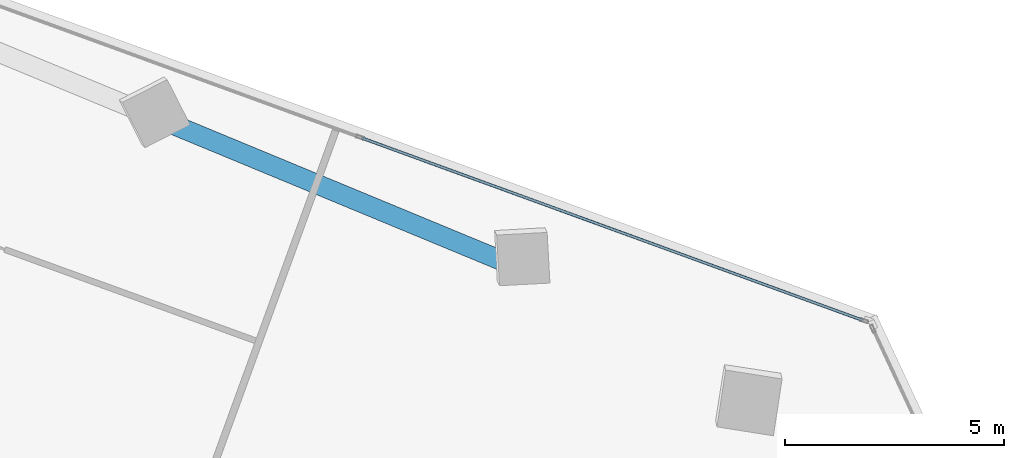
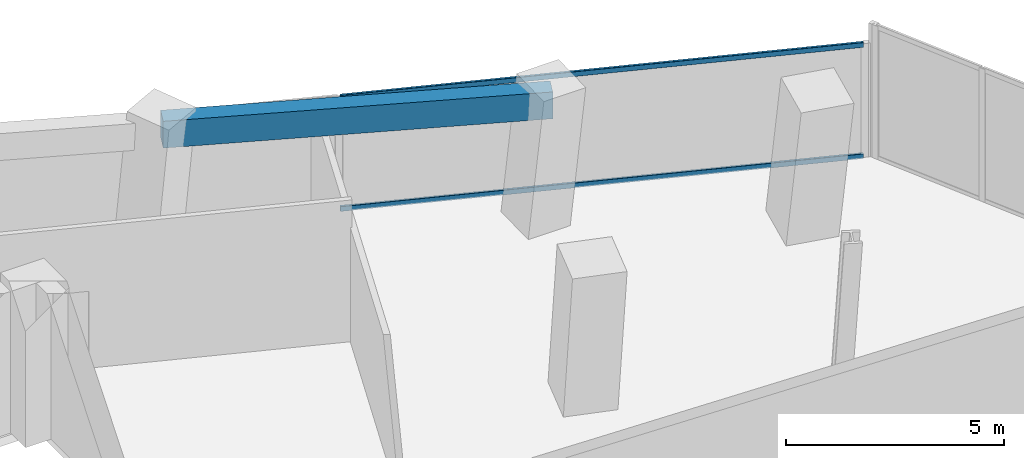
# One storey, part 10 of 21: 2 members, 1 beam, 1 element without a shape of its own.
"""IFC4 building model written with IfcOpenShell, lengths in metres."""

from ifc_helpers import new_model, si_unit, direction, frame, origin, origin_2d, place, context, subcontext, project, spatial, rectangle, hollow_rectangle, extrude, source, transform, mapped, material, material_profile, profile_set, type_object, element, aggregate, save


model = new_model("IFC4")

# Units and contexts
model_context = context("Model", 3, precision=1e-05, world=origin(), true_north=direction((0.0, 1.0)))
body_context = subcontext(model_context, "Body", "Model", "MODEL_VIEW")
ifc_project = project(units=[si_unit("LENGTHUNIT", "METRE"), si_unit("AREAUNIT", "SQUARE_METRE"), si_unit("VOLUMEUNIT", "CUBIC_METRE"), si_unit("PLANEANGLEUNIT", "RADIAN"), si_unit("MASSUNIT", "GRAM", prefix="KILO")], contexts=[model_context])

# Site, building, storey
site_placement = place(None, origin())
site = spatial("IfcSite", under=ifc_project, at=site_placement, CompositionType="ELEMENT")
building_placement = place(site_placement, origin())
building = spatial("IfcBuilding", under=site, at=building_placement, Name="Torre Montelarca", CompositionType="ELEMENT")
storey_placement = place(building_placement, frame((0.0, 0.0, 137.199951171875)))
storey = spatial("IfcBuildingStorey", under=building, at=storey_placement, Name="L30", CompositionType="ELEMENT", Elevation=137.199951171875)

# Beam
ifc_material_1 = material(Name="Concrete C55/67", Category="concrete")
ifc_material_profile_1 = material_profile(ifc_material_1, rectangle(XDim=0.449951171875, YDim=0.75, at=origin_2d()), Name="RCB450X750", Category="concrete")
ifc_profile_set_1 = profile_set([ifc_material_profile_1], Name="Concrete C55/67")
beam_type = type_object("IfcBeamType", Name="BM-SP-RC750-EXT", PredefinedType="SPANDREL", material=ifc_profile_set_1)
shared_shape_1 = source(origin(), body_context, "Body", "SweptSolid", [
    extrude(rectangle(XDim=0.449951171875, YDim=0.75, at=origin_2d()), origin(), (0.0, 0.0, 1.0), 9.0),
])
beam_placement = place(storey_placement, frame((32.37890625, 43.89208984375, 3.5849609375), z_axis=(0.923882270716, -0.382676821686, 0.0), x_axis=(0.382676821686, 0.923882270716, 0.0)))
element("IfcBeam", 1, at=beam_placement, inside=storey, type_object=beam_type, Name="L30 Grid Girder X 27.0-36.0 at Y=47.1", PredefinedType="SPANDREL", context=body_context, shape_type="MappedRepresentation", body=[
    mapped(shared_shape_1, transform((0.0, 0.0, 0.0), scale=1.0)),
])

# Curtain wall, members
ifc_material_2 = material(Name="Insulated low-E laminated glass", Category="glass")
curtain_wall_type = type_object("IfcCurtainWallType", Name="CW-SYS-Z2", PredefinedType="USERDEFINED", material=ifc_material_2)
curtain_wall_placement = place(storey_placement, origin())
curtain_wall = element("IfcCurtainWall", 2, at=curtain_wall_placement, inside=storey, type_object=curtain_wall_type, Name="L30 Curtain Wall Run CW-T3-L30-E08-B1", ObjectType="UNITISED GLAZING", PredefinedType="USERDEFINED")
ifc_material_3 = material(Name="Anodised aluminium AA 6063-T6", Category="aluminium")
ifc_material_profile_2 = material_profile(ifc_material_3, hollow_rectangle(XDim=0.06494140625, YDim=0.139892578125, WallThickness=0.00390625, InnerFilletRadius=0.00390625, OuterFilletRadius=0.008056640625, at=origin_2d()), Name="ALU65X140X4", Category="aluminium")
ifc_profile_set_2 = profile_set([ifc_material_profile_2], Name="Anodised aluminium AA 6063-T6")
member_type = type_object("IfcMemberType", Name="CWT-ALU140", PredefinedType="USERDEFINED", material=ifc_profile_set_2)
shared_shape_2 = source(origin(), body_context, "Body", "SweptSolid", [
    extrude(hollow_rectangle(XDim=0.06494140625, YDim=0.139892578125, WallThickness=0.00390625, InnerFilletRadius=0.00390625, OuterFilletRadius=0.008056640625, at=origin_2d()), origin(), (0.0, 0.0, 1.0), 12.16015625),
])
member_1_placement = place(storey_placement, frame((48.29833984375, 39.34765625, 0.032470703125), z_axis=(-0.93969431683, 0.342015483446, 0.0), x_axis=(-0.342015483446, -0.93969431683, 0.0)))
member_1 = element("IfcMember", 3, at=member_1_placement, type_object=member_type, Name="CW transom 1.1", ObjectType="TRANSOM", PredefinedType="USERDEFINED", context=body_context, shape_type="MappedRepresentation", body=[
    mapped(shared_shape_2, transform((0.0, 0.0, 0.0), scale=1.0)),
])
member_2_placement = place(storey_placement, frame((48.29833984375, 39.34765625, 3.142578125), z_axis=(-0.93969431683, 0.342015483446, 0.0), x_axis=(-0.342015483446, -0.93969431683, 0.0)))
member_2 = element("IfcMember", 4, at=member_2_placement, type_object=member_type, Name="CW transom 1.2", ObjectType="TRANSOM", PredefinedType="USERDEFINED", context=body_context, shape_type="MappedRepresentation", body=[
    mapped(shared_shape_2, transform((0.0, 0.0, 0.0), scale=1.0)),
])
aggregate(curtain_wall, [member_1, member_2])

save(model, "model.ifc")
